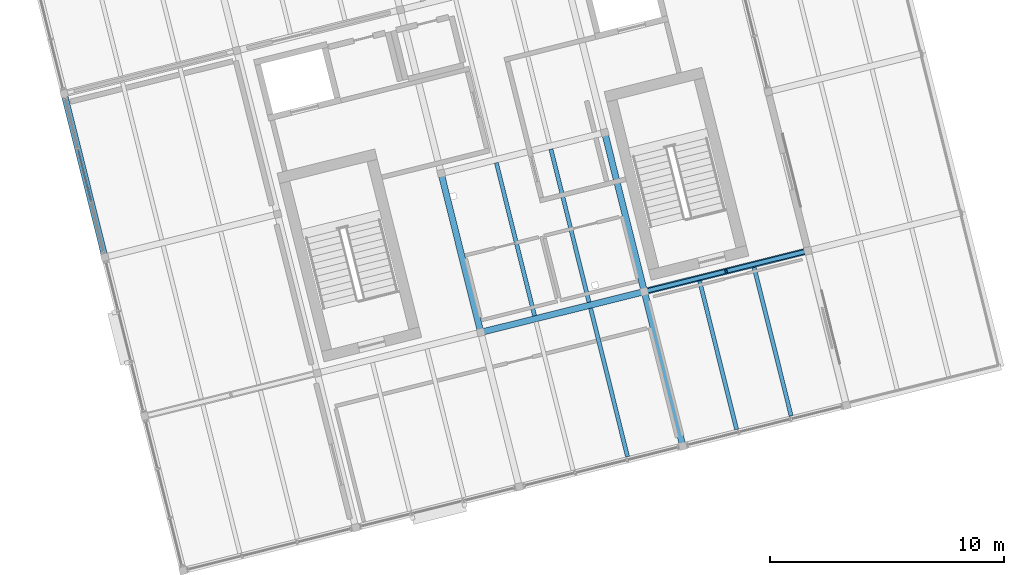
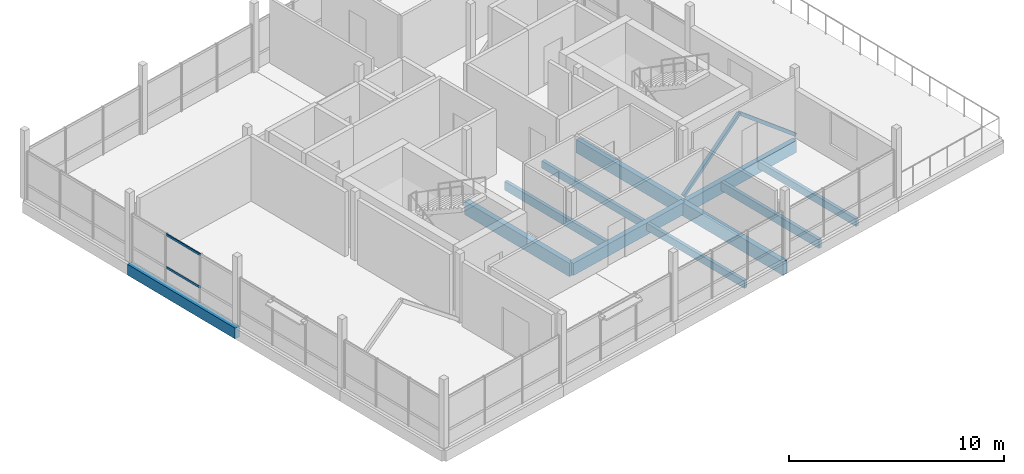
# One storey, part 8 of 24: 11 beams, 4 members, 1 element without a shape of its own.
"""IFC4 building model written with IfcOpenShell, lengths in metres."""

from ifc_helpers import new_model, si_unit, direction, frame, origin, origin_2d, place, context, subcontext, project, spatial, rectangle, hollow_rectangle, extrude, material, layer, layer_set, material_profile, profile_set, type_object, element, aggregate, save


model = new_model("IFC4")

# Units and contexts
model_context = context("Model", 3, precision=1e-05, world=origin(), true_north=direction((0.0, 1.0)))
body_context = subcontext(model_context, "Body", "Model", "MODEL_VIEW")
ifc_project = project(units=[si_unit("LENGTHUNIT", "METRE"), si_unit("AREAUNIT", "SQUARE_METRE"), si_unit("VOLUMEUNIT", "CUBIC_METRE"), si_unit("PLANEANGLEUNIT", "RADIAN"), si_unit("MASSUNIT", "GRAM", prefix="KILO")], contexts=[model_context])

# Site, building, storey
site_placement = place(None, origin())
site = spatial("IfcSite", under=ifc_project, at=site_placement, CompositionType="ELEMENT")
building_placement = place(site_placement, origin())
building = spatial("IfcBuilding", under=site, at=building_placement, Name="Meriwether Solvik Hall", CompositionType="ELEMENT")
storey_placement = place(building_placement, frame((0.0, 0.0, 57.300048828125)))
storey = spatial("IfcBuildingStorey", under=building, at=storey_placement, Name="L14", CompositionType="ELEMENT", Elevation=57.300048828125)

# Beams
ifc_material_1 = material(Name="Glulam Douglas-Fir 24F-V8 GL28h", Category="wood")
ifc_material_profile_1 = material_profile(ifc_material_1, rectangle(XDim=0.27294921875, YDim=0.610107421875, at=origin_2d()), Name="GLB-273X610")
ifc_profile_set_1 = profile_set([ifc_material_profile_1], Name="Glulam Douglas-Fir 24F-V8 GL28h")
beam_type_1 = type_object("IfcBeamType", Name="BM-GL-273X610", PredefinedType="SPANDREL", material=ifc_profile_set_1)
beam_1_placement = place(storey_placement, frame((65.261474609375, 54.590087890625, -0.505126953125), z_axis=(-0.241937193493, 0.970291911955, 0.0), x_axis=(-0.970291911955, -0.241937193493, 0.0)))
element("IfcBeam", 1, at=beam_1_placement, inside=storey, type_object=beam_type_1, Name="Tower Girder T1:TC-TD (L14)", PredefinedType="SPANDREL", context=body_context, shape_type="SweptSolid", body=[
    extrude(rectangle(XDim=0.27294921875, YDim=0.610107421875, at=origin_2d()), origin(), (0.0, 0.0, 1.0), 7.199951171875),
])
ifc_material_2 = material(Name="Glulam Douglas-Fir 24F-V8 GL28h", Category="wood")
ifc_material_profile_2 = material_profile(ifc_material_2, rectangle(XDim=0.27294921875, YDim=0.68505859375, at=origin_2d()), Name="GLB-273X685")
ifc_profile_set_2 = profile_set([ifc_material_profile_2], Name="Glulam Douglas-Fir 24F-V8 GL28h")
beam_type_2 = type_object("IfcBeamType", Name="BM-GL-273X685", PredefinedType="BEAM", material=ifc_profile_set_2)
for number, where, z_axis, x_axis, name in (
    (2, (81.3154296875, 51.37841796875, -0.54248046875), (0.970291911955, 0.241937193493, 0.0), (-0.241937193493, 0.970291911955, 0.0), "Tower Girder TB:T3-T4 (L14)"),
    (3, (88.301513671875, 53.120361328125, -0.5625), (0.970299871507, 0.241905269381, 0.0), (-0.241905269381, 0.970299871507, 0.0), "Tower Girder TB:T4-T5 (L14)"),
):
    element("IfcBeam", number, at=place(storey_placement, frame(where, z_axis=z_axis, x_axis=x_axis)), inside=storey, type_object=beam_type_2, Name=name, PredefinedType="BEAM", context=body_context, shape_type="SweptSolid", body=[
        extrude(rectangle(XDim=0.27294921875, YDim=0.68505859375, at=origin_2d()), origin(), (0.0, 0.0, 1.0), 7.199951171875),
    ])
ifc_material_3 = material(Name="Glulam Douglas-Fir 24F-V8 GL28h", Category="wood")
ifc_material_profile_3 = material_profile(ifc_material_3, rectangle(XDim=0.27294921875, YDim=0.760009765625, at=origin_2d()), Name="GLB-273X760")
ifc_profile_set_3 = profile_set([ifc_material_profile_3], Name="Glulam Douglas-Fir 24F-V8 GL28h")
beam_type_3 = type_object("IfcBeamType", Name="BM-GL-273X760", PredefinedType="BEAM", material=ifc_profile_set_3)
beam_2_placement = place(storey_placement, frame((81.3154296875, 51.37841796875, -0.580078125), z_axis=(-0.241944715397, 0.970290036376, 0.0), x_axis=(-0.970290036376, -0.241944715397, 0.0)))
element("IfcBeam", 4, at=beam_2_placement, inside=storey, type_object=beam_type_3, Name="Tower Girder T3:TB-TC (L14)", PredefinedType="BEAM", context=body_context, shape_type="SweptSolid", body=[
    extrude(rectangle(XDim=0.27294921875, YDim=0.760009765625, at=origin_2d()), origin(), (0.0, 0.0, 1.0), 7.0),
])
beam_3_placement = place(storey_placement, frame((89.946533203125, 46.522216796875, -0.580078125), z_axis=(-0.24191045034, 0.970298579828, 0.0), x_axis=(-0.970298579828, -0.24191045034, 0.0)))
element("IfcBeam", 5, at=beam_3_placement, inside=storey, type_object=beam_type_3, Name="Tower Girder T4:TA-TB (L14)", PredefinedType="BEAM", context=body_context, shape_type="SweptSolid", body=[
    extrude(rectangle(XDim=0.27294921875, YDim=0.760009765625, at=origin_2d()), origin(), (0.0, 0.0, 1.0), 6.800048828125),
])
beam_4_placement = place(storey_placement, frame((88.301513671875, 53.120361328125, -0.580078125), z_axis=(-0.241944715397, 0.970290036376, 0.0), x_axis=(-0.970290036376, -0.241944715397, 0.0)))
element("IfcBeam", 6, at=beam_4_placement, inside=storey, type_object=beam_type_3, Name="Tower Girder T4:TB-TC (L14)", PredefinedType="BEAM", context=body_context, shape_type="SweptSolid", body=[
    extrude(rectangle(XDim=0.27294921875, YDim=0.760009765625, at=origin_2d()), origin(), (0.0, 0.0, 1.0), 7.0),
])

# Curtain wall, members
ifc_material_4 = material(Name="Thermally Broken Anodised Aluminium 6063-T6 and Low-E Glass", Category="aluminium")
ifc_layer = layer(ifc_material_4, 0.179931640625)
ifc_layer_set = layer_set([ifc_layer], Name="Thermally Broken Anodised Aluminium 6063-T6 and Low-E Glass")
curtain_wall_type = type_object("IfcCurtainWallType", Name="CW-UNIT-C", PredefinedType="USERDEFINED", material=ifc_layer_set)
curtain_wall_placement = place(storey_placement, origin())
curtain_wall = element("IfcCurtainWall", 7, at=curtain_wall_placement, inside=storey, type_object=curtain_wall_type, Name="Curtain Wall E3_B2 (L14)", ObjectType="UNITISED CURTAIN WALL", PredefinedType="USERDEFINED")
ifc_material_5 = material(Name="Anodised Aluminium 6063-T6", Category="aluminium")
ifc_material_profile_4 = material_profile(ifc_material_5, hollow_rectangle(XDim=0.06005859375, YDim=0.1201171875, WallThickness=0.00390625, at=origin_2d()), Name="CWT-60X120")
ifc_profile_set_4 = profile_set([ifc_material_profile_4], Name="Anodised Aluminium 6063-T6")
member_type_1 = type_object("IfcMemberType", Name="CW-TRN-60X120", PredefinedType="USERDEFINED", material=ifc_profile_set_4)
member_1_placement = place(storey_placement, frame((64.667236328125, 56.9736328125, 0.8173828125), z_axis=(-0.241907601634, 0.97029929005, 0.0), x_axis=(-0.97029929005, -0.241907601634, 0.0)))
member_1 = element("IfcMember", 8, at=member_1_placement, type_object=member_type_1, Name="Curtain Wall Transom 2-sill", ObjectType="TRANSOM", PredefinedType="USERDEFINED", context=body_context, shape_type="SweptSolid", body=[
    extrude(hollow_rectangle(XDim=0.06005859375, YDim=0.1201171875, WallThickness=0.00390625, at=origin_2d()), origin(), (0.0, 0.0, 1.0), 2.286865234375),
])
member_2_placement = place(storey_placement, frame((64.667236328125, 56.9736328125, 2.6650390625), z_axis=(-0.241907601634, 0.97029929005, 0.0), x_axis=(-0.97029929005, -0.241907601634, 0.0)))
member_2 = element("IfcMember", 9, at=member_2_placement, type_object=member_type_1, Name="Curtain Wall Transom 2-head", ObjectType="TRANSOM", PredefinedType="USERDEFINED", context=body_context, shape_type="SweptSolid", body=[
    extrude(hollow_rectangle(XDim=0.06005859375, YDim=0.1201171875, WallThickness=0.00390625, at=origin_2d()), origin(), (0.0, 0.0, 1.0), 2.286865234375),
])
aggregate(curtain_wall, [member_1, member_2])

# Beams
ifc_material_6 = material(Name="Glulam Douglas-Fir 24F-V8 GL28h", Category="wood")
ifc_material_profile_5 = material_profile(ifc_material_6, rectangle(XDim=0.175048828125, YDim=0.419921875, at=origin_2d()), Name="GLJ-175X420")
ifc_profile_set_5 = profile_set([ifc_material_profile_5], Name="Glulam Douglas-Fir 24F-V8 GL28h")
beam_type_4 = type_object("IfcBeamType", Name="JST-GL-175X420", PredefinedType="JOIST", material=ifc_profile_set_5)
beam_5_placement = place(storey_placement, frame((87.5859375, 46.0693359375, -0.41015625), z_axis=(-0.241902854765, 0.970300473491, 0.0), x_axis=(-0.970300473491, -0.241902854765, 0.0)))
element("IfcBeam", 10, at=beam_5_placement, inside=storey, type_object=beam_type_4, Name="Glulam Floor Joist T3/TA-J2 (L14)", PredefinedType="JOIST", context=body_context, shape_type="SweptSolid", body=[
    extrude(rectangle(XDim=0.175048828125, YDim=0.419921875, at=origin_2d()), origin(), (0.0, 0.0, 1.0), 6.536865234375),
])
beam_6_placement = place(storey_placement, frame((85.94091796875, 52.667236328125, -0.41015625), z_axis=(-0.241930176813, 0.9702936615, 0.0), x_axis=(-0.9702936615, -0.241930176813, 0.0)))
element("IfcBeam", 11, at=beam_6_placement, inside=storey, type_object=beam_type_4, Name="Glulam Floor Joist T3/TB-J2 (L14)", PredefinedType="JOIST", context=body_context, shape_type="SweptSolid", body=[
    extrude(rectangle(XDim=0.175048828125, YDim=0.419921875, at=origin_2d()), origin(), (0.0, 0.0, 1.0), 6.737060546875),
])
beam_7_placement = place(storey_placement, frame((94.572021484375, 47.81103515625, -0.41015625), z_axis=(-0.241902854765, 0.970300473491, 0.0), x_axis=(-0.970300473491, -0.241902854765, 0.0)))
element("IfcBeam", 12, at=beam_7_placement, inside=storey, type_object=beam_type_4, Name="Glulam Floor Joist T4/TA-J2 (L14)", PredefinedType="JOIST", context=body_context, shape_type="SweptSolid", body=[
    extrude(rectangle(XDim=0.175048828125, YDim=0.419921875, at=origin_2d()), origin(), (0.0, 0.0, 1.0), 6.536865234375),
])
ifc_material_7 = material(Name="Glulam Douglas-Fir 24F-V8 GL28h", Category="wood")
ifc_material_profile_6 = material_profile(ifc_material_7, rectangle(XDim=0.175048828125, YDim=0.4951171875, at=origin_2d()), Name="GLJ-175X495")
ifc_profile_set_6 = profile_set([ifc_material_profile_6], Name="Glulam Douglas-Fir 24F-V8 GL28h")
beam_type_5 = type_object("IfcBeamType", Name="JST-GL-175X495", PredefinedType="JOIST", material=ifc_profile_set_6)
beam_8_placement = place(storey_placement, frame((83.6123046875, 52.086669921875, -0.447509765625), z_axis=(-0.241930176813, 0.9702936615, 0.0), x_axis=(-0.9702936615, -0.241930176813, 0.0)))
element("IfcBeam", 13, at=beam_8_placement, inside=storey, type_object=beam_type_5, Name="Glulam Floor Joist T3/TB-J1 (L14)", PredefinedType="JOIST", context=body_context, shape_type="SweptSolid", body=[
    extrude(rectangle(XDim=0.175048828125, YDim=0.4951171875, at=origin_2d()), origin(), (0.0, 0.0, 1.0), 6.737060546875),
])
beam_9_placement = place(storey_placement, frame((92.243408203125, 47.23046875, -0.447509765625), z_axis=(-0.241938016776, 0.970291706673, 0.0), x_axis=(-0.970291706673, -0.241938016776, 0.0)))
element("IfcBeam", 14, at=beam_9_placement, inside=storey, type_object=beam_type_5, Name="Glulam Floor Joist T4/TA-J1 (L14)", PredefinedType="JOIST", context=body_context, shape_type="SweptSolid", body=[
    extrude(rectangle(XDim=0.175048828125, YDim=0.4951171875, at=origin_2d()), origin(), (0.0, 0.0, 1.0), 6.536865234375),
])

# Members
ifc_material_8 = material(Name="Steel A500 Grade C", Category="steel")
ifc_material_profile_7 = material_profile(ifc_material_8, hollow_rectangle(XDim=0.177978515625, YDim=0.177978515625, WallThickness=0.009521484375, at=origin_2d()), Name="HSS178X178X9.5")
ifc_profile_set_7 = profile_set([ifc_material_profile_7], Name="Steel A500 Grade C")
member_type_2 = type_object("IfcMemberType", Name="MEM-BR-HSS178", PredefinedType="BRACE", material=ifc_profile_set_7)
member_3_placement = place(storey_placement, frame((88.301513671875, 53.120361328125, 0.050048828125), z_axis=(0.749473610394, 0.186857647884, 0.635116939429), x_axis=(-0.241913228726, 0.970297887129, 0.0)))
element("IfcMember", 15, at=member_3_placement, inside=storey, type_object=member_type_2, Name="Tower Chevron Brace L14-B3A", PredefinedType="BRACE", context=body_context, shape_type="SweptSolid", body=[
    extrude(hollow_rectangle(XDim=0.177978515625, YDim=0.177978515625, WallThickness=0.009521484375, at=origin_2d()), origin(), (0.0, 0.0, 1.0), 4.660400390625),
])
member_4_placement = place(storey_placement, frame((95.28759765625, 54.862060546875, 0.050048828125), z_axis=(-0.749496568871, -0.186850311795, 0.635092004542), x_axis=(0.241897310542, -0.970301855688, 0.0)))
element("IfcMember", 16, at=member_4_placement, inside=storey, type_object=member_type_2, Name="Tower Chevron Brace L14-B3B", PredefinedType="BRACE", context=body_context, shape_type="SweptSolid", body=[
    extrude(hollow_rectangle(XDim=0.177978515625, YDim=0.177978515625, WallThickness=0.009521484375, at=origin_2d()), origin(), (0.0, 0.0, 1.0), 4.66064453125),
])

save(model, "model.ifc")
